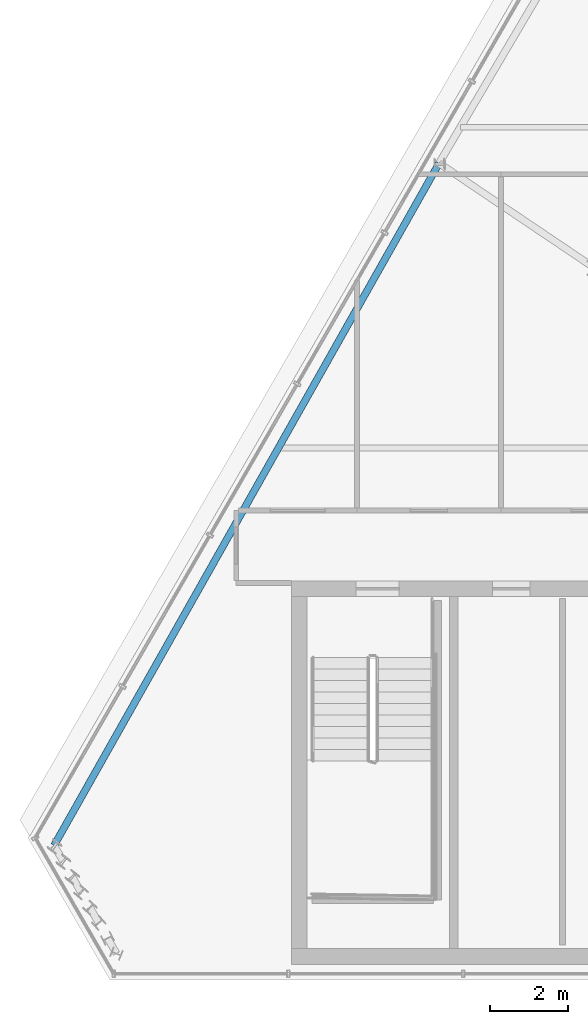
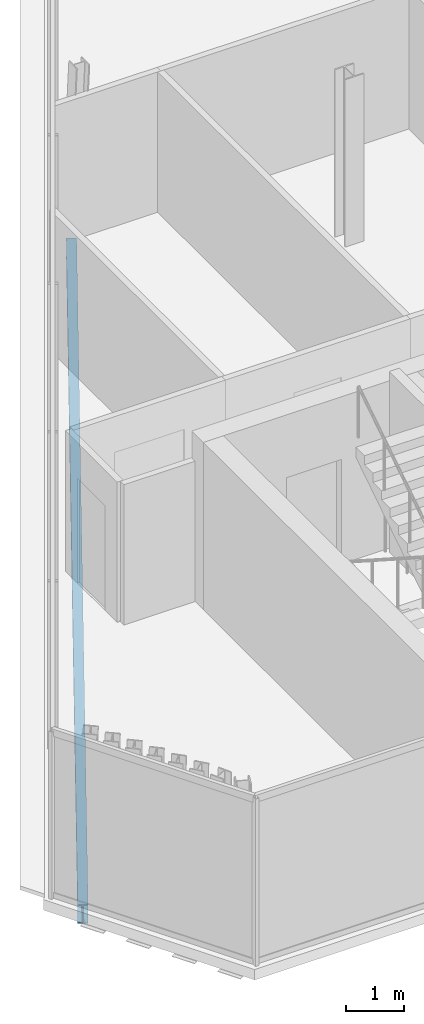
# One storey, part 5 of 32: 1 beam.
"""IFC4 building model written with IfcOpenShell, lengths in metres."""

from ifc_helpers import new_model, si_unit, direction, frame, origin, origin_2d, place, context, subcontext, project, spatial, i_section, extrude, material, material_profile, profile_set, type_object, element, save


model = new_model("IFC4")

# Units and contexts
model_context = context("Model", 3, precision=1e-05, world=origin(), true_north=direction((0.0, 1.0)))
body_context = subcontext(model_context, "Body", "Model", "MODEL_VIEW")
ifc_project = project(units=[si_unit("LENGTHUNIT", "METRE"), si_unit("AREAUNIT", "SQUARE_METRE"), si_unit("VOLUMEUNIT", "CUBIC_METRE"), si_unit("PLANEANGLEUNIT", "RADIAN"), si_unit("MASSUNIT", "GRAM", prefix="KILO")], contexts=[model_context])

# Site, building, storey
site_placement = place(None, origin())
site = spatial("IfcSite", under=ifc_project, at=site_placement, CompositionType="ELEMENT")
building_placement = place(site_placement, origin())
building = spatial("IfcBuilding", under=site, at=building_placement, Name="Ndaravel Arena Tower", CompositionType="ELEMENT")
storey_placement = place(building_placement, frame((0.0, 0.0, 294.699951171875)))
storey = spatial("IfcBuildingStorey", under=building, at=storey_placement, Name="L72", CompositionType="ELEMENT", Elevation=294.699951171875)

# Beam
ifc_material = material(Name="Steel S355", Category="steel")
ifc_material_profile = material_profile(ifc_material, i_section(OverallWidth=0.179931640625, OverallDepth=0.39990234375, WebThickness=0.008544921875, FlangeThickness=0.013427734375, FilletRadius=0.02099609375, at=origin_2d()), Name="IPE 400")
ifc_profile_set = profile_set([ifc_material_profile], Name="Steel S355")
beam_type = type_object("IfcBeamType", Name="BM-SPAN-IPE400", PredefinedType="SPANDREL", material=ifc_profile_set)
beam_placement = place(storey_placement, frame((30.2216796875, 25.880615234375, -0.419921875), z_axis=(-0.491444958906, -0.870908636061, 0.0), x_axis=(0.870908636061, -0.491444958906, 0.0)))
element("IfcBeam", 1, at=beam_placement, inside=storey, type_object=beam_type, Name="L72 Perimeter Spandrel Beam SP-19", PredefinedType="SPANDREL", context=body_context, shape_type="SweptSolid", body=[
    extrude(i_section(OverallWidth=0.179931640625, OverallDepth=0.39990234375, WebThickness=0.008544921875, FlangeThickness=0.013427734375, FilletRadius=0.02099609375, at=origin_2d()), origin(), (0.0, 0.0, 1.0), 20.02734375),
])

save(model, "model.ifc")
